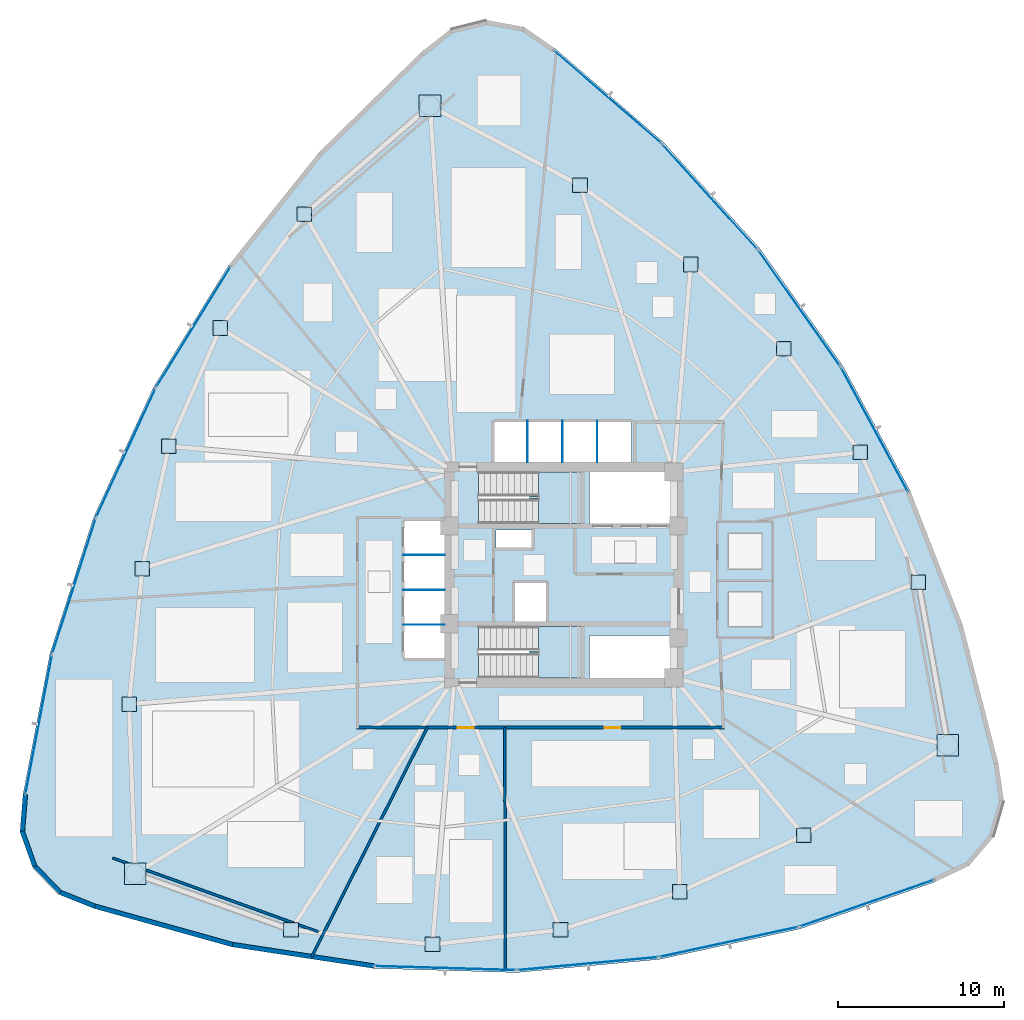
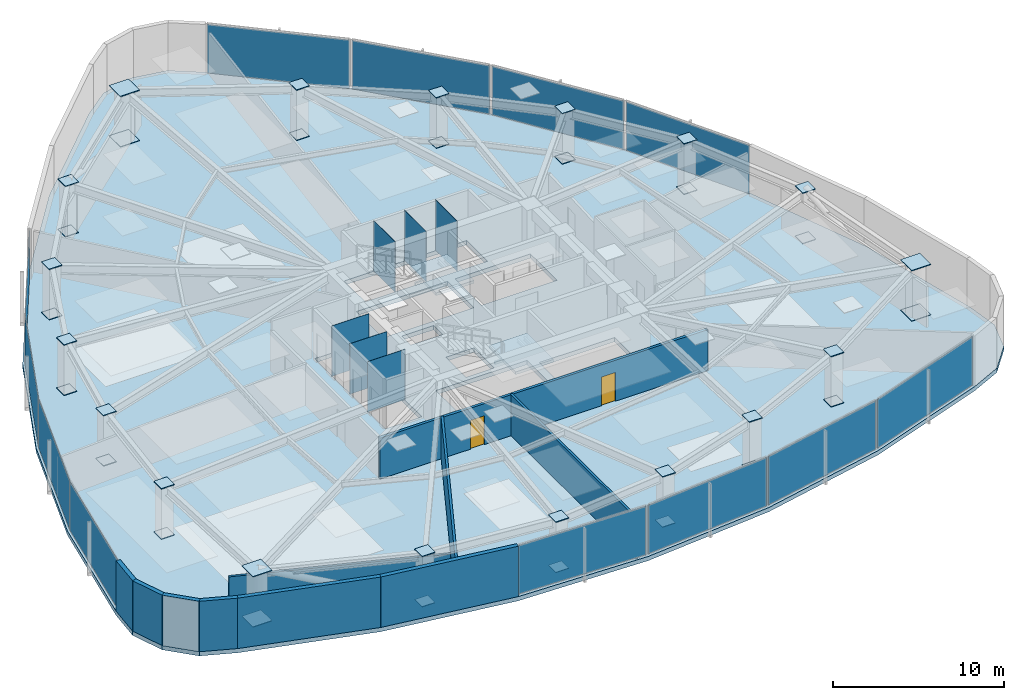
# One storey, part 10 of 16: 54 plates, 10 walls, 3 slabs, 2 doors, 2 openings, 14 elements without a shape of their own.
"""IFC4 building model written with IfcOpenShell, lengths in metres."""

from ifc_helpers import new_model, si_unit, direction, frame, frame_2d, origin, origin_2d, place, context, subcontext, project, spatial, polyline, rectangle, outline, extrude, source, transform, mapped, material, layer, layer_set, type_object, type_shapes, element, fill, aggregate, save


model = new_model("IFC4")

# Units and contexts
model_context = context("Model", 3, precision=1e-05, world=origin(), true_north=direction((0.0, 1.0)))
body_context = subcontext(model_context, "Body", "Model", "MODEL_VIEW")
ifc_project = project(units=[si_unit("LENGTHUNIT", "METRE"), si_unit("AREAUNIT", "SQUARE_METRE"), si_unit("VOLUMEUNIT", "CUBIC_METRE"), si_unit("PLANEANGLEUNIT", "RADIAN"), si_unit("MASSUNIT", "GRAM", prefix="KILO")], contexts=[model_context])

# Site, building, storey
site_placement = place(None, origin())
site = spatial("IfcSite", under=ifc_project, at=site_placement, CompositionType="ELEMENT")
building_placement = place(site_placement, origin())
building = spatial("IfcBuilding", under=site, at=building_placement, Name="Tavelor Broadcast Tower", CompositionType="ELEMENT")
storey_placement = place(building_placement, frame((0.0, 0.0, 31.5)))
storey = spatial("IfcBuildingStorey", under=building, at=storey_placement, Name="L06", CompositionType="ELEMENT", Elevation=31.5)

# Stair, slab
ifc_material_1 = material(Name="Concrete C40/50", Category="concrete")
stair_type = type_object("IfcStairType", Name="Reinforced Concrete Protected Dogleg Stair 1450 mm", PredefinedType="HALF_TURN_STAIR", material=ifc_material_1)
stair_1_placement = place(storey_placement, origin())
stair_1 = element("IfcStair", 1, at=stair_1_placement, inside=storey, type_object=stair_type, Name="L06 Protected Core Exit Stair ST1", PredefinedType="HALF_TURN_STAIR")
ifc_layer_1 = layer(ifc_material_1, 0.199951171875)
ifc_layer_set_1 = layer_set([ifc_layer_1], Name="Concrete C40/50")
slab_type_1 = type_object("IfcSlabType", Name="Reinforced Concrete Stair Half-Landing Slab 200 mm", PredefinedType="LANDING", material=ifc_layer_set_1)
slab_1_placement = place(storey_placement, frame((0.0, 0.0, 1.75)))
slab_1 = element("IfcSlab", 2, at=slab_1_placement, type_object=slab_type_1, Name="ST1 landing 1", PredefinedType="LANDING", context=body_context, shape_type="SweptSolid", body=[
    extrude(outline(polyline([(48.445068359375, 49.590087890625), (48.445068359375, 48.094970703125), (51.0048828125, 48.094970703125), (51.0048828125, 51.205078125), (48.445068359375, 51.205078125), (48.445068359375, 49.7099609375), (47.905029296875, 49.7099609375), (47.905029296875, 49.590087890625), (48.445068359375, 49.590087890625)])), origin(), (0.0, 0.0, 1.0), 0.199951171875),
])
aggregate(stair_1, [slab_1])

stair_2_placement = place(storey_placement, origin())
stair_2 = element("IfcStair", 3, at=stair_2_placement, inside=storey, type_object=stair_type, Name="L06 Protected Core Exit Stair ST2", PredefinedType="HALF_TURN_STAIR")
slab_2_placement = place(storey_placement, frame((0.0, 0.0, 1.75)))
slab_2 = element("IfcSlab", 4, at=slab_2_placement, type_object=slab_type_1, Name="ST2 landing 1", PredefinedType="LANDING", context=body_context, shape_type="SweptSolid", body=[
    extrude(outline(polyline([(48.445068359375, 40.2900390625), (48.445068359375, 38.794921875), (51.0048828125, 38.794921875), (51.0048828125, 41.905029296875), (48.445068359375, 41.905029296875), (48.445068359375, 40.409912109375), (47.905029296875, 40.409912109375), (47.905029296875, 40.2900390625), (48.445068359375, 40.2900390625)])), origin(), (0.0, 0.0, 1.0), 0.199951171875),
])
aggregate(stair_2, [slab_2])

# Slab
ifc_layer_2 = layer(ifc_material_1, 0.300048828125)
ifc_layer_set_2 = layer_set([ifc_layer_2], Name="Concrete C40/50")
slab_type_2 = type_object("IfcSlabType", Name="Tower Composite Floor Slab 300 mm", PredefinedType="FLOOR", material=ifc_layer_set_2)
slab_3_placement = place(storey_placement, frame((0.0, 0.0, -0.300048828125)))
element("IfcSlab", 5, at=slab_3_placement, inside=storey, type_object=slab_type_2, Name="L06 Structural Floor Slab", PredefinedType="FLOOR", context=body_context, shape_type="SweptSolid", body=[
    extrude(outline(polyline([(49.44775390625, 76.720458984375), (47.58154296875, 78.01025390625), (45.349853515625, 78.41796875), (43.148193359375, 77.87109375), (41.366455078125, 76.466552734375), (35.199462890625, 70.422119140625), (29.80908203125, 63.676025390625), (25.274658203125, 56.327392578125), (21.6630859375, 48.483642578125), (19.02685546875, 40.2607421875), (17.405517578125, 31.779296875), (17.221435546875, 29.51806640625), (17.984375, 27.381591796875), (19.558837890625, 25.748291015625), (21.666015625, 24.90771484375), (29.98388671875, 22.5888671875), (38.521484375, 21.293701171875), (47.15283203125, 21.041259765625), (55.75146484375, 21.835205078125), (64.19091796875, 23.663818359375), (72.3466796875, 26.500244140625), (74.39697265625, 27.4716796875), (75.865966796875, 29.200439453125), (76.4931640625, 31.380859375), (76.16748046875, 33.6259765625), (74.0166015625, 41.989013671875), (70.869384765625, 50.030029296875), (66.7724609375, 57.63134765625), (61.785400390625, 64.680908203125), (55.982177734375, 71.075439453125), (49.44775390625, 76.720458984375)]), holes=[polyline([(56.60009765625, 38.800048828125), (51.52001953125, 38.800048828125), (51.52001953125, 41.35009765625), (56.60009765625, 41.35009765625), (56.60009765625, 38.800048828125)]), polyline([(50.99609375, 38.803955078125), (44.85400390625, 38.803955078125), (44.85400390625, 41.89599609375), (50.99609375, 41.89599609375), (50.99609375, 38.803955078125)]), polyline([(47.050048828125, 42.199951171875), (47.050048828125, 44.550048828125), (48.949951171875, 44.550048828125), (48.949951171875, 42.199951171875), (47.050048828125, 42.199951171875)]), polyline([(40.35009765625, 40.0), (40.35009765625, 48.25), (42.800048828125, 48.25), (42.800048828125, 40.0), (40.35009765625, 40.0)]), polyline([(48.050048828125, 46.64990234375), (45.89990234375, 46.64990234375), (45.89990234375, 47.699951171875), (48.050048828125, 47.699951171875), (48.050048828125, 46.64990234375)]), polyline([(50.99609375, 48.10400390625), (44.85400390625, 48.10400390625), (44.85400390625, 51.196044921875), (50.99609375, 51.196044921875), (50.99609375, 48.10400390625)]), polyline([(56.60009765625, 48.10009765625), (51.52001953125, 48.10009765625), (51.52001953125, 51.199951171875), (56.60009765625, 51.199951171875), (56.60009765625, 48.10009765625)]), polyline([(54.050048828125, 51.800048828125), (45.800048828125, 51.800048828125), (45.800048828125, 54.25), (54.050048828125, 54.25), (54.050048828125, 51.800048828125)])]), origin(), (0.0, 0.0, 1.0), 0.300048828125),
])

# Plates
ifc_material_2 = material(Name="Steel S460", Category="steel")
ifc_layer_3 = layer(ifc_material_2, 0.050048828125)
ifc_layer_set_3 = layer_set([ifc_layer_3], Name="Steel S460")
plate_type_1 = type_object("IfcPlateType", Name="Tube Hollow-End Cap Plate KN05 700x700x50", PredefinedType="USERDEFINED", material=ifc_layer_set_3)
shared_shape_1 = source(origin(), body_context, "Body", "SweptSolid", [
    extrude(rectangle(XDim=1.299072265625, YDim=1.299072265625, at=origin_2d()), origin(), (0.0, 0.0, 1.0), 0.054931640625),
])
for number, where, z_axis, x_axis, name in (
    (6, (41.923095703125, 73.266357421875, -0.02734375), (0.0, 0.0, 1.0), (1.0, 0.0, 0.0), "L06 Hollow End Cap Plate KN05 #238"),
    (7, (41.923095703125, 73.266357421875, 3.57275390625), (0.0, 0.0, 1.0), (1.0, 0.0, 0.0), "L06 Hollow End Cap Plate KN05 #239"),
    (8, (24.1591796875, 26.98974609375, -0.02734375), (0.0, 0.0, 1.0), (1.0, 0.0, 0.0), "L06 Hollow End Cap Plate KN05 #250"),
    (9, (24.1591796875, 26.98974609375, 3.57275390625), (0.0, 0.0, 1.0), (1.0, 0.0, 0.0), "L06 Hollow End Cap Plate KN05 #251"),
    (10, (73.117919921875, 34.743896484375, -0.02734375), (0.0, 0.0, 1.0), (1.0, 0.0, 0.0), "L06 Hollow End Cap Plate KN05 #262"),
    (11, (73.117919921875, 34.743896484375, 3.57275390625), (0.0, 0.0, 1.0), (1.0, 0.0, 0.0), "L06 Hollow End Cap Plate KN05 #263"),
):
    element("IfcPlate", number, at=place(storey_placement, frame(where, z_axis=z_axis, x_axis=x_axis)), inside=storey, type_object=plate_type_1, Name=name, ObjectType="CAP PLATE", PredefinedType="USERDEFINED", context=body_context, shape_type="MappedRepresentation", body=[
        mapped(shared_shape_1, transform((0.0, 0.0, 0.0), scale=1.0)),
    ])
shared_shape_2 = source(origin(), body_context, "Body", "SweptSolid", [
    extrude(rectangle(XDim=0.8798828125, YDim=0.8798828125, at=origin_2d()), origin(), (0.0, 0.0, 1.0), 0.054931640625),
])
type_shapes(plate_type_1, [shared_shape_1, shared_shape_2])
for number, where, z_axis, x_axis, name in (
    (12, (34.356201171875, 66.727783203125, -0.02734375), (0.0, 0.0, 1.0), (1.0, 0.0, 0.0), "L06 Hollow End Cap Plate KN05 #240"),
    (13, (34.356201171875, 66.727783203125, 3.57275390625), (0.0, 0.0, 1.0), (1.0, 0.0, 0.0), "L06 Hollow End Cap Plate KN05 #241"),
    (14, (29.292236328125, 59.87158203125, -0.02734375), (0.0, 0.0, 1.0), (1.0, 0.0, 0.0), "L06 Hollow End Cap Plate KN05 #242"),
    (15, (29.292236328125, 59.87158203125, 3.57275390625), (0.0, 0.0, 1.0), (1.0, 0.0, 0.0), "L06 Hollow End Cap Plate KN05 #243"),
    (16, (26.189208984375, 52.75830078125, -0.02734375), (0.0, 0.0, 1.0), (1.0, 0.0, 0.0), "L06 Hollow End Cap Plate KN05 #244"),
    (17, (26.189208984375, 52.75830078125, 3.57275390625), (0.0, 0.0, 1.0), (1.0, 0.0, 0.0), "L06 Hollow End Cap Plate KN05 #245"),
    (18, (24.58984375, 45.380615234375, -0.02734375), (0.0, 0.0, 1.0), (1.0, 0.0, 0.0), "L06 Hollow End Cap Plate KN05 #246"),
    (19, (24.58984375, 45.380615234375, 3.57275390625), (0.0, 0.0, 1.0), (1.0, 0.0, 0.0), "L06 Hollow End Cap Plate KN05 #247"),
    (20, (23.794677734375, 37.21630859375, -0.02734375), (0.0, 0.0, 1.0), (1.0, 0.0, 0.0), "L06 Hollow End Cap Plate KN05 #248"),
    (21, (23.794677734375, 37.21630859375, 3.57275390625), (0.0, 0.0, 1.0), (1.0, 0.0, 0.0), "L06 Hollow End Cap Plate KN05 #249"),
    (22, (33.55078125, 23.615478515625, -0.02734375), (0.0, 0.0, 1.0), (1.0, 0.0, 0.0), "L06 Hollow End Cap Plate KN05 #252"),
    (23, (33.55078125, 23.615478515625, 3.57275390625), (0.0, 0.0, 1.0), (1.0, 0.0, 0.0), "L06 Hollow End Cap Plate KN05 #253"),
    (24, (42.0732421875, 22.740478515625, -0.02734375), (0.0, 0.0, 1.0), (1.0, 0.0, 0.0), "L06 Hollow End Cap Plate KN05 #254"),
    (25, (42.0732421875, 22.740478515625, 3.57275390625), (0.0, 0.0, 1.0), (1.0, 0.0, 0.0), "L06 Hollow End Cap Plate KN05 #255"),
    (26, (49.78662109375, 23.617919921875, -0.02734375), (0.0, 0.0, 1.0), (1.0, 0.0, 0.0), "L06 Hollow End Cap Plate KN05 #256"),
    (27, (49.78662109375, 23.617919921875, 3.57275390625), (0.0, 0.0, 1.0), (1.0, 0.0, 0.0), "L06 Hollow End Cap Plate KN05 #257"),
    (28, (56.975341796875, 25.92138671875, -0.02734375), (0.0, 0.0, 1.0), (1.0, 0.0, 0.0), "L06 Hollow End Cap Plate KN05 #258"),
    (29, (56.975341796875, 25.92138671875, 3.57275390625), (0.0, 0.0, 1.0), (1.0, 0.0, 0.0), "L06 Hollow End Cap Plate KN05 #259"),
    (30, (64.443603515625, 29.31494140625, -0.02734375), (0.0, 0.0, 1.0), (1.0, 0.0, 0.0), "L06 Hollow End Cap Plate KN05 #260"),
    (31, (64.443603515625, 29.31494140625, 3.57275390625), (0.0, 0.0, 1.0), (1.0, 0.0, 0.0), "L06 Hollow End Cap Plate KN05 #261"),
    (32, (71.343994140625, 44.564697265625, -0.02734375), (0.0, 0.0, 1.0), (1.0, 0.0, 0.0), "L06 Hollow End Cap Plate KN05 #264"),
    (33, (71.343994140625, 44.564697265625, 3.57275390625), (0.0, 0.0, 1.0), (1.0, 0.0, 0.0), "L06 Hollow End Cap Plate KN05 #265"),
    (34, (67.8408203125, 52.382568359375, -0.02734375), (0.0, 0.0, 1.0), (1.0, 0.0, 0.0), "L06 Hollow End Cap Plate KN05 #266"),
    (35, (67.8408203125, 52.382568359375, 3.57275390625), (0.0, 0.0, 1.0), (1.0, 0.0, 0.0), "L06 Hollow End Cap Plate KN05 #267"),
    (36, (63.22412109375, 58.623779296875, -0.02734375), (0.0, 0.0, 1.0), (1.0, 0.0, 0.0), "L06 Hollow End Cap Plate KN05 #268"),
    (37, (63.22412109375, 58.623779296875, 3.57275390625), (0.0, 0.0, 1.0), (1.0, 0.0, 0.0), "L06 Hollow End Cap Plate KN05 #269"),
    (38, (57.634765625, 63.69775390625, -0.02734375), (0.0, 0.0, 1.0), (1.0, 0.0, 0.0), "L06 Hollow End Cap Plate KN05 #270"),
    (39, (57.634765625, 63.69775390625, 3.57275390625), (0.0, 0.0, 1.0), (1.0, 0.0, 0.0), "L06 Hollow End Cap Plate KN05 #271"),
    (40, (50.9619140625, 68.468505859375, -0.02734375), (0.0, 0.0, 1.0), (1.0, 0.0, 0.0), "L06 Hollow End Cap Plate KN05 #272"),
    (41, (50.9619140625, 68.468505859375, 3.57275390625), (0.0, 0.0, 1.0), (1.0, 0.0, 0.0), "L06 Hollow End Cap Plate KN05 #273"),
):
    element("IfcPlate", number, at=place(storey_placement, frame(where, z_axis=z_axis, x_axis=x_axis)), inside=storey, type_object=plate_type_1, Name=name, ObjectType="CAP PLATE", PredefinedType="USERDEFINED", context=body_context, shape_type="MappedRepresentation", body=[
        mapped(shared_shape_2, transform((0.0, 0.0, 0.0), scale=1.0)),
    ])
ifc_material_3 = material(Name="Steel S355", Category="steel")
ifc_layer_4 = layer(ifc_material_3, 0.011962890625)
ifc_layer_set_4 = layer_set([ifc_layer_4], Name="Steel S355")
plate_type_2 = type_object("IfcPlateType", Name="Hoistway Steel Separator Screen 12 mm", PredefinedType="SHEET", material=ifc_layer_set_4)
shared_shape_3 = source(origin(), body_context, "Body", "SweptSolid", [
    extrude(rectangle(XDim=2.52001953125, YDim=0.02001953125, at=origin_2d()), origin(), (0.0, 0.0, 1.0), 3.60009765625),
])
for number, where, z_axis, x_axis, name in (
    (42, (41.56005859375, 42.0, 0.0), (0.0, 0.0, 1.0), (1.0, 0.0, 0.0), "L06 Low-Rise Hoistway Separator Screen 1"),
    (43, (41.56005859375, 44.10009765625, 0.0), (0.0, 0.0, 1.0), (1.0, 0.0, 0.0), "L06 Low-Rise Hoistway Separator Screen 2"),
    (44, (41.56005859375, 46.199951171875, 0.0), (0.0, 0.0, 1.0), (1.0, 0.0, 0.0), "L06 Low-Rise Hoistway Separator Screen 3"),
):
    element("IfcPlate", number, at=place(storey_placement, frame(where, z_axis=z_axis, x_axis=x_axis)), inside=storey, type_object=plate_type_2, Name=name, PredefinedType="SHEET", context=body_context, shape_type="MappedRepresentation", body=[
        mapped(shared_shape_3, transform((0.0, 0.0, 0.0), scale=1.0)),
    ])
shared_shape_4 = source(origin(), body_context, "Body", "SweptSolid", [
    extrude(rectangle(XDim=0.02001953125, YDim=2.52001953125, at=origin_2d()), origin(), (0.0, 0.0, 1.0), 3.60009765625),
])
type_shapes(plate_type_2, [shared_shape_3, shared_shape_4])
for number, where, z_axis, x_axis, name in (
    (45, (47.800048828125, 53.0400390625, 0.0), (0.0, 0.0, 1.0), (1.0, 0.0, 0.0), "L06 High-Rise Hoistway Separator Screen 1"),
    (46, (49.89990234375, 53.0400390625, 0.0), (0.0, 0.0, 1.0), (1.0, 0.0, 0.0), "L06 High-Rise Hoistway Separator Screen 2"),
    (47, (52.0, 53.0400390625, 0.0), (0.0, 0.0, 1.0), (1.0, 0.0, 0.0), "L06 High-Rise Hoistway Separator Screen 3"),
):
    element("IfcPlate", number, at=place(storey_placement, frame(where, z_axis=z_axis, x_axis=x_axis)), inside=storey, type_object=plate_type_2, Name=name, PredefinedType="SHEET", context=body_context, shape_type="MappedRepresentation", body=[
        mapped(shared_shape_4, transform((0.0, 0.0, 0.0), scale=1.0)),
    ])

# Curtain wall, plate
ifc_material_4 = material(Name="Architectural Anodized Aluminium", Category="aluminium")
ifc_layer_5 = layer(ifc_material_4, 0.179931640625)
ifc_layer_set_5 = layer_set([ifc_layer_5], Name="Architectural Anodized Aluminium")
curtain_wall_type = type_object("IfcCurtainWallType", Name="Tower Low-Zone Unitised Curtain Wall CW02", PredefinedType="NOTDEFINED", material=ifc_layer_set_5)
curtain_wall_1_placement = place(storey_placement, origin())
curtain_wall_1 = element("IfcCurtainWall", 48, at=curtain_wall_1_placement, inside=storey, type_object=curtain_wall_type, Name="L06 Curtain Wall CW02 Run 28", PredefinedType="NOTDEFINED")
ifc_material_5 = material(Name="Acoustic Double Glazing 28 mm", Category="glass")
ifc_layer_6 = layer(ifc_material_5, 0.028076171875)
ifc_layer_set_6 = layer_set([ifc_layer_6], Name="Acoustic Double Glazing 28 mm")
plate_type_3 = type_object("IfcPlateType", Name="CW02 Insulated Vision Glazing Panel 28 mm", PredefinedType="CURTAIN_PANEL", material=ifc_layer_set_6)
shared_shape_5 = source(origin(), body_context, "Body", "SweptSolid", [
    extrude(rectangle(XDim=8.47412109375, YDim=0.028076171875, at=origin_2d()), origin(), (0.0, 0.0, 1.0), 3.469970703125),
])
plate_1_placement = place(storey_placement, frame((18.35205078125, 35.98583984375, 0.06494140625), z_axis=(0.0, 0.0, 1.0), x_axis=(-0.187781248653, -0.98221087484, 0.0)))
plate_1 = element("IfcPlate", 49, at=plate_1_placement, type_object=plate_type_3, Name="CW02 panel 1.1", PredefinedType="CURTAIN_PANEL", context=body_context, shape_type="MappedRepresentation", body=[
    mapped(shared_shape_5, transform((0.0, 0.0, 0.0), scale=1.0)),
])
aggregate(curtain_wall_1, [plate_1])

curtain_wall_2_placement = place(storey_placement, origin())
curtain_wall_2 = element("IfcCurtainWall", 50, at=curtain_wall_2_placement, inside=storey, type_object=curtain_wall_type, Name="L06 Curtain Wall CW02 Run 32", PredefinedType="NOTDEFINED")
plate_2_placement = place(storey_placement, frame((68.23046875, 25.217041015625, 0.06494140625), z_axis=(0.0, 0.0, 1.0), x_axis=(0.944514042745, 0.328471038384, 0.0)))
plate_2 = element("IfcPlate", 51, at=plate_2_placement, type_object=plate_type_3, Name="CW02 panel 1.1", PredefinedType="CURTAIN_PANEL", context=body_context, shape_type="MappedRepresentation", body=[
    mapped(shared_shape_5, transform((0.0, 0.0, 0.0), scale=1.0)),
])
aggregate(curtain_wall_2, [plate_2])

curtain_wall_3_placement = place(storey_placement, origin())
curtain_wall_3 = element("IfcCurtainWall", 52, at=curtain_wall_3_placement, inside=storey, type_object=curtain_wall_type, Name="L06 Curtain Wall CW02 Run 36", PredefinedType="NOTDEFINED")
plate_3_placement = place(storey_placement, frame((52.617431640625, 73.797119140625, 0.06494140625), z_axis=(0.0, 0.0, 1.0), x_axis=(-0.756722386015, 0.653736361619, 0.0)))
plate_3 = element("IfcPlate", 53, at=plate_3_placement, type_object=plate_type_3, Name="CW02 panel 1.1", PredefinedType="CURTAIN_PANEL", context=body_context, shape_type="MappedRepresentation", body=[
    mapped(shared_shape_5, transform((0.0, 0.0, 0.0), scale=1.0)),
])
aggregate(curtain_wall_3, [plate_3])

curtain_wall_4_placement = place(storey_placement, origin())
curtain_wall_4 = element("IfcCurtainWall", 54, at=curtain_wall_4_placement, inside=storey, type_object=curtain_wall_type, Name="L06 Curtain Wall CW02 Run 25", PredefinedType="NOTDEFINED")
shared_shape_6 = source(origin(), body_context, "Body", "SweptSolid", [
    extrude(rectangle(XDim=8.47314453125, YDim=0.028076171875, at=origin_2d()), origin(), (0.0, 0.0, 1.0), 3.469970703125),
])
plate_4_placement = place(storey_placement, frame((27.6650390625, 59.9345703125, 0.06494140625), z_axis=(0.0, 0.0, 1.0), x_axis=(-0.525113954474, -0.8510319235, 0.0)))
plate_4 = element("IfcPlate", 55, at=plate_4_placement, type_object=plate_type_3, Name="CW02 panel 1.1", PredefinedType="CURTAIN_PANEL", context=body_context, shape_type="MappedRepresentation", body=[
    mapped(shared_shape_6, transform((0.0, 0.0, 0.0), scale=1.0)),
])
aggregate(curtain_wall_4, [plate_4])

curtain_wall_5_placement = place(storey_placement, origin())
curtain_wall_5 = element("IfcCurtainWall", 56, at=curtain_wall_5_placement, inside=storey, type_object=curtain_wall_type, Name="L06 Curtain Wall CW02 Run 29", PredefinedType="NOTDEFINED")
plate_5_placement = place(storey_placement, frame((42.833740234375, 21.3076171875, 0.06494140625), z_axis=(0.0, 0.0, 1.0), x_axis=(0.999572263549, -0.029245340553, 0.0)))
plate_5 = element("IfcPlate", 57, at=plate_5_placement, type_object=plate_type_3, Name="CW02 panel 1.1", PredefinedType="CURTAIN_PANEL", context=body_context, shape_type="MappedRepresentation", body=[
    mapped(shared_shape_6, transform((0.0, 0.0, 0.0), scale=1.0)),
])
aggregate(curtain_wall_5, [plate_5])

curtain_wall_6_placement = place(storey_placement, origin())
curtain_wall_6 = element("IfcCurtainWall", 58, at=curtain_wall_6_placement, inside=storey, type_object=curtain_wall_type, Name="L06 Curtain Wall CW02 Run 33", PredefinedType="NOTDEFINED")
plate_6_placement = place(storey_placement, frame((68.701171875, 53.7578125, 0.06494140625), z_axis=(0.0, 0.0, 1.0), x_axis=(-0.474467154157, 0.880273207377, 0.0)))
plate_6 = element("IfcPlate", 59, at=plate_6_placement, type_object=plate_type_3, Name="CW02 panel 1.1", PredefinedType="CURTAIN_PANEL", context=body_context, shape_type="MappedRepresentation", body=[
    mapped(shared_shape_6, transform((0.0, 0.0, 0.0), scale=1.0)),
])
aggregate(curtain_wall_6, [plate_6])

curtain_wall_7_placement = place(storey_placement, origin())
curtain_wall_7 = element("IfcCurtainWall", 60, at=curtain_wall_7_placement, inside=storey, type_object=curtain_wall_type, Name="L06 Curtain Wall CW02 Run 26", PredefinedType="NOTDEFINED")
shared_shape_7 = source(origin(), body_context, "Body", "SweptSolid", [
    extrude(rectangle(XDim=8.458251953125, YDim=0.028076171875, at=origin_2d()), origin(), (0.0, 0.0, 1.0), 3.469970703125),
])
type_shapes(plate_type_3, [shared_shape_5, shared_shape_6, shared_shape_7])
plate_7_placement = place(storey_placement, frame((23.595947265625, 52.346923828125, 0.06494140625), z_axis=(0.0, 0.0, 1.0), x_axis=(-0.418250206402, -0.908331858323, 0.0)))
plate_7 = element("IfcPlate", 61, at=plate_7_placement, type_object=plate_type_3, Name="CW02 panel 1.1", PredefinedType="CURTAIN_PANEL", context=body_context, shape_type="MappedRepresentation", body=[
    mapped(shared_shape_7, transform((0.0, 0.0, 0.0), scale=1.0)),
])
aggregate(curtain_wall_7, [plate_7])

curtain_wall_8_placement = place(storey_placement, origin())
curtain_wall_8 = element("IfcCurtainWall", 62, at=curtain_wall_8_placement, inside=storey, type_object=curtain_wall_type, Name="L06 Curtain Wall CW02 Run 27", PredefinedType="NOTDEFINED")
plate_8_placement = place(storey_placement, frame((20.478271484375, 44.32958984375, 0.06494140625), z_axis=(0.0, 0.0, 1.0), x_axis=(-0.305269582491, -0.952265972303, 0.0)))
plate_8 = element("IfcPlate", 63, at=plate_8_placement, type_object=plate_type_3, Name="CW02 panel 1.1", PredefinedType="CURTAIN_PANEL", context=body_context, shape_type="MappedRepresentation", body=[
    mapped(shared_shape_7, transform((0.0, 0.0, 0.0), scale=1.0)),
])
aggregate(curtain_wall_8, [plate_8])

curtain_wall_9_placement = place(storey_placement, origin())
curtain_wall_9 = element("IfcCurtainWall", 64, at=curtain_wall_9_placement, inside=storey, type_object=curtain_wall_type, Name="L06 Curtain Wall CW02 Run 30", PredefinedType="NOTDEFINED")
plate_9_placement = place(storey_placement, frame((51.439208984375, 21.57763671875, 0.06494140625), z_axis=(0.0, 0.0, 1.0), x_axis=(0.995765580411, 0.091928825014, 0.0)))
plate_9 = element("IfcPlate", 65, at=plate_9_placement, type_object=plate_type_3, Name="CW02 panel 1.1", PredefinedType="CURTAIN_PANEL", context=body_context, shape_type="MappedRepresentation", body=[
    mapped(shared_shape_7, transform((0.0, 0.0, 0.0), scale=1.0)),
])
aggregate(curtain_wall_9, [plate_9])

curtain_wall_10_placement = place(storey_placement, origin())
curtain_wall_10 = element("IfcCurtainWall", 66, at=curtain_wall_10_placement, inside=storey, type_object=curtain_wall_type, Name="L06 Curtain Wall CW02 Run 31", PredefinedType="NOTDEFINED")
plate_10_placement = place(storey_placement, frame((59.94140625, 22.88623046875, 0.06494140625), z_axis=(0.0, 0.0, 1.0), x_axis=(0.97732000728, 0.211767805322, 0.0)))
plate_10 = element("IfcPlate", 67, at=plate_10_placement, type_object=plate_type_3, Name="CW02 panel 1.1", PredefinedType="CURTAIN_PANEL", context=body_context, shape_type="MappedRepresentation", body=[
    mapped(shared_shape_7, transform((0.0, 0.0, 0.0), scale=1.0)),
])
aggregate(curtain_wall_10, [plate_10])

curtain_wall_11_placement = place(storey_placement, origin())
curtain_wall_11 = element("IfcCurtainWall", 68, at=curtain_wall_11_placement, inside=storey, type_object=curtain_wall_type, Name="L06 Curtain Wall CW02 Run 34", PredefinedType="NOTDEFINED")
plate_11_placement = place(storey_placement, frame((64.16455078125, 61.075439453125, 0.06494140625), z_axis=(0.0, 0.0, 1.0), x_axis=(-0.577502578839, 0.81638886043, 0.0)))
plate_11 = element("IfcPlate", 69, at=plate_11_placement, type_object=plate_type_3, Name="CW02 panel 1.1", PredefinedType="CURTAIN_PANEL", context=body_context, shape_type="MappedRepresentation", body=[
    mapped(shared_shape_7, transform((0.0, 0.0, 0.0), scale=1.0)),
])
aggregate(curtain_wall_11, [plate_11])

curtain_wall_12_placement = place(storey_placement, origin())
curtain_wall_12 = element("IfcCurtainWall", 70, at=curtain_wall_12_placement, inside=storey, type_object=curtain_wall_type, Name="L06 Curtain Wall CW02 Run 35", PredefinedType="NOTDEFINED")
plate_12_placement = place(storey_placement, frame((58.780029296875, 67.7841796875, 0.06494140625), z_axis=(0.0, 0.0, 1.0), x_axis=(-0.67205068814, 0.74050514689, 0.0)))
plate_12 = element("IfcPlate", 71, at=plate_12_placement, type_object=plate_type_3, Name="CW02 panel 1.1", PredefinedType="CURTAIN_PANEL", context=body_context, shape_type="MappedRepresentation", body=[
    mapped(shared_shape_7, transform((0.0, 0.0, 0.0), scale=1.0)),
])
aggregate(curtain_wall_12, [plate_12])

# Wall, openings, doors
ifc_material_6 = material(Name="Calcium Silicate Fire Board 180 mm", Category="gypsum")
ifc_layer_7 = layer(ifc_material_6, 0.179931640625)
ifc_layer_set_7 = layer_set([ifc_layer_7], Name="Calcium Silicate Fire Board 180 mm")
wall_type_1 = type_object("IfcWallType", Name="Fire-Rated Corridor Partition Wall 180 mm", PredefinedType="PARTITIONING", material=ifc_layer_set_7)
wall_1_placement = place(storey_placement, frame((59.64990234375, 35.800048828125, 0.0), z_axis=(0.0, 0.0, 1.0), x_axis=(-1.0, 0.0, 0.0)))
wall_1 = element("IfcWall", 72, at=wall_1_placement, inside=storey, type_object=wall_type_1, Name="L06 Corridor Compartment Wall 04", PredefinedType="PARTITIONING", context=body_context, shape_type="SweptSolid", body=[
    extrude(rectangle(XDim=22.14990234375, YDim=0.179931640625, at=frame_2d((11.074951171875, 0.0))), origin(), (0.0, 0.0, 1.0), 2.925048828125),
])
opening_1_placement = place(wall_1_placement, frame((6.254150390625, 0.0, 0.0)))
opening_1 = element("IfcOpeningElement", 73, at=opening_1_placement, cuts=wall_1, Name="Opening DR18", PredefinedType="OPENING", context=body_context, shape_type="SweptSolid", body=[
    extrude(rectangle(XDim=0.949951171875, YDim=2.050048828125, at=frame_2d((0.47509765625, 1.02490234375))), frame((0.0, 0.10009765625, 0.0), z_axis=(0.0, -1.0, 0.0), x_axis=(1.0, 0.0, 0.0)), (0.0, 0.0, 1.0), 0.199951171875),
])
opening_2_placement = place(wall_1_placement, frame((15.103271484375, 0.0, 0.0)))
opening_2 = element("IfcOpeningElement", 74, at=opening_2_placement, cuts=wall_1, Name="Opening DR18", PredefinedType="OPENING", context=body_context, shape_type="SweptSolid", body=[
    extrude(rectangle(XDim=0.949951171875, YDim=2.050048828125, at=frame_2d((0.47509765625, 1.02490234375))), frame((0.0, 0.10009765625, 0.0), z_axis=(0.0, -1.0, 0.0), x_axis=(1.0, 0.0, 0.0)), (0.0, 0.0, 1.0), 0.199951171875),
])
ifc_material_7 = material(Name="Timber Solid Core Hardwood", Category="wood")
door_type = type_object("IfcDoorType", Name="Corridor Rated Compartment Door 950x2050", OperationType="NOTDEFINED", PredefinedType="DOOR", material=ifc_material_7)
door_1_placement = place(opening_1_placement, origin())
door_1 = element("IfcDoor", 75, at=door_1_placement, inside=storey, type_object=door_type, Name="L06 Investigative News Desk Door R0", OperationType="SINGLE_SWING_RIGHT", OverallHeight=2.050048828125, OverallWidth=0.949951171875, PredefinedType="DOOR", context=body_context, shape_type="SweptSolid", body=[
    extrude(rectangle(XDim=0.949951171875, YDim=2.050048828125, at=frame_2d((0.47509765625, 1.02490234375))), frame((0.0, 0.02490234375, 0.0), z_axis=(0.0, -1.0, 0.0), x_axis=(1.0, 0.0, 0.0)), (0.0, 0.0, 1.0), 0.050048828125),
])
fill(opening_1, door_1)
door_2_placement = place(opening_2_placement, origin())
door_2 = element("IfcDoor", 76, at=door_2_placement, inside=storey, type_object=door_type, Name="L06 Syndication Legal Office Door R1", OperationType="SINGLE_SWING_LEFT", OverallHeight=2.050048828125, OverallWidth=0.949951171875, PredefinedType="DOOR", context=body_context, shape_type="SweptSolid", body=[
    extrude(rectangle(XDim=0.949951171875, YDim=2.050048828125, at=frame_2d((0.47509765625, 1.02490234375))), frame((0.0, 0.02490234375, 0.0), z_axis=(0.0, -1.0, 0.0), x_axis=(1.0, 0.0, 0.0)), (0.0, 0.0, 1.0), 0.050048828125),
])
fill(opening_2, door_2)

# Walls
ifc_material_8 = material(Name="Precast Concrete C40/50", Category="concrete")
ifc_layer_8 = layer(ifc_material_8, 0.280029296875)
ifc_layer_set_8 = layer_set([ifc_layer_8], Name="Precast Concrete C40/50")
wall_type_2 = type_object("IfcWallType", Name="Insulated Precast Terracotta Facade Wall 280 mm", PredefinedType="STANDARD", material=ifc_layer_set_8)
wall_2_placement = place(storey_placement, frame((17.544677734375, 31.764404296875, 0.0), z_axis=(0.0, 0.0, 1.0), x_axis=(-0.08105184903, -0.996709886461, 0.0)))
element("IfcWall", 77, at=wall_2_placement, inside=storey, type_object=wall_type_2, Name="L06 Rounded Corner Structural Cladding Pier 11", PredefinedType="STANDARD", context=body_context, shape_type="SweptSolid", body=[
    extrude(rectangle(XDim=2.25, YDim=0.280029296875, at=frame_2d((1.125, 0.0))), origin(), (0.0, 0.0, 1.0), 3.60009765625),
])
for number, where, z_axis, x_axis, name in (
    (78, (17.3583984375, 29.55078125, 0.0), (0.0, 0.0, 1.0), (0.336281118115, -0.941761652224, 0.0), "L06 Rounded Corner Structural Cladding Pier 12"),
    (79, (18.095703125, 27.4677734375, 0.0), (0.0, 0.0, 1.0), (0.694062896487, -0.719914366936, 0.0), "L06 Rounded Corner Structural Cladding Pier 13"),
):
    element("IfcWall", number, at=place(storey_placement, frame(where, z_axis=z_axis, x_axis=x_axis)), inside=storey, type_object=wall_type_2, Name=name, PredefinedType="STANDARD", context=body_context, shape_type="SweptSolid", body=[
        extrude(rectangle(XDim=2.23828125, YDim=0.280029296875, at=frame_2d((1.119140625, 0.0))), origin(), (0.0, 0.0, 1.0), 3.60009765625),
    ])
wall_3_placement = place(storey_placement, frame((19.624755859375, 25.872802734375, 0.0), z_axis=(0.0, 0.0, 1.0), x_axis=(0.928803978905, -0.370571408463, 0.0)))
element("IfcWall", 80, at=wall_3_placement, inside=storey, type_object=wall_type_2, Name="L06 Rounded Corner Structural Cladding Pier 14", PredefinedType="STANDARD", context=body_context, shape_type="SweptSolid", body=[
    extrude(rectangle(XDim=2.260986328125, YDim=0.280029296875, at=frame_2d((1.13037109375, 0.0))), origin(), (0.0, 0.0, 1.0), 3.60009765625),
])
wall_4_placement = place(storey_placement, frame((21.6962890625, 25.04443359375, 0.0), z_axis=(0.0, 0.0, 1.0), x_axis=(0.963273252168, -0.26852307472, 0.0)))
element("IfcWall", 81, at=wall_4_placement, inside=storey, type_object=wall_type_2, Name="L06 Rounded Corner Structural Cladding Pier 15", PredefinedType="STANDARD", context=body_context, shape_type="SweptSolid", body=[
    extrude(rectangle(XDim=8.649169921875, YDim=0.280029296875, at=frame_2d((4.32470703125, 0.0))), origin(), (0.0, 0.0, 1.0), 3.60009765625),
])
wall_5_placement = place(storey_placement, frame((29.99853515625, 22.728271484375, 0.0), z_axis=(0.0, 0.0, 1.0), x_axis=(0.988689100494, -0.149979540489, 0.0)))
element("IfcWall", 82, at=wall_5_placement, inside=storey, type_object=wall_type_2, Name="L06 Rounded Corner Structural Cladding Pier 16", PredefinedType="STANDARD", context=body_context, shape_type="SweptSolid", body=[
    extrude(rectangle(XDim=8.63720703125, YDim=0.280029296875, at=frame_2d((4.318603515625, 0.0))), origin(), (0.0, 0.0, 1.0), 3.60009765625),
])
ifc_material_9 = material(Name="Gypsum Acoustic Plasterboard 150 mm", Category="gypsum")
ifc_layer_9 = layer(ifc_material_9, 0.14990234375)
ifc_layer_set_9 = layer_set([ifc_layer_9], Name="Gypsum Acoustic Plasterboard 150 mm")
wall_type_3 = type_object("IfcWallType", Name="Interior Acoustic Partition Wall 150 mm", PredefinedType="PARTITIONING", material=ifc_layer_set_9)
wall_6_placement = place(storey_placement, frame((22.802001953125, 27.94482421875, 0.0), z_axis=(0.0, 0.0, 1.0), x_axis=(0.941102349209, -0.338121824662, 0.0)))
element("IfcWall", 83, at=wall_6_placement, inside=storey, type_object=wall_type_3, Name="L06 Corner Tube Brace Furring Wall 2", PredefinedType="PARTITIONING", context=body_context, shape_type="SweptSolid", body=[
    extrude(rectangle(XDim=13.1796875, YDim=0.14990234375, at=frame_2d((6.58984375, 0.0))), origin(), (0.0, 0.0, 1.0), 2.925048828125),
])
wall_7_placement = place(storey_placement, frame((41.760009765625, 35.800048828125, 0.0), z_axis=(0.0, 0.0, 1.0), x_axis=(-0.450304822069, -0.892874888896, 0.0)))
element("IfcWall", 84, at=wall_7_placement, inside=storey, type_object=wall_type_3, Name="L06 Radial Compartment Wall 05", PredefinedType="PARTITIONING", context=body_context, shape_type="SweptSolid", body=[
    extrude(rectangle(XDim=15.46630859375, YDim=0.14990234375, at=frame_2d((7.733154296875, 0.0))), origin(), (0.0, 0.0, 1.0), 2.97509765625),
])
wall_8_placement = place(storey_placement, frame((46.427001953125, 35.800048828125, 0.0), z_axis=(0.0, 0.0, 1.0), x_axis=(0.002958023057, -0.99999562504, 0.0)))
element("IfcWall", 85, at=wall_8_placement, inside=storey, type_object=wall_type_3, Name="L06 Radial Compartment Wall 06", PredefinedType="PARTITIONING", context=body_context, shape_type="SweptSolid", body=[
    extrude(rectangle(XDim=14.608642578125, YDim=0.14990234375, at=frame_2d((7.30419921875, 0.0))), origin(), (0.0, 0.0, 1.0), 2.925048828125),
])

save(model, "model.ifc")
